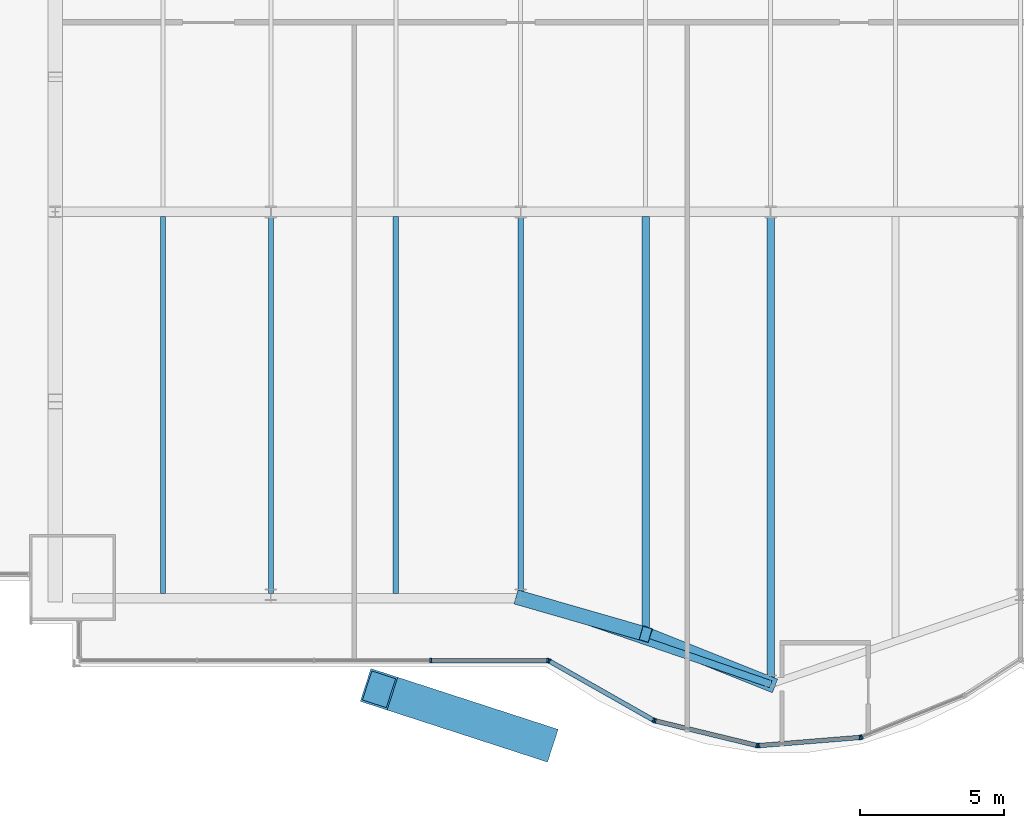
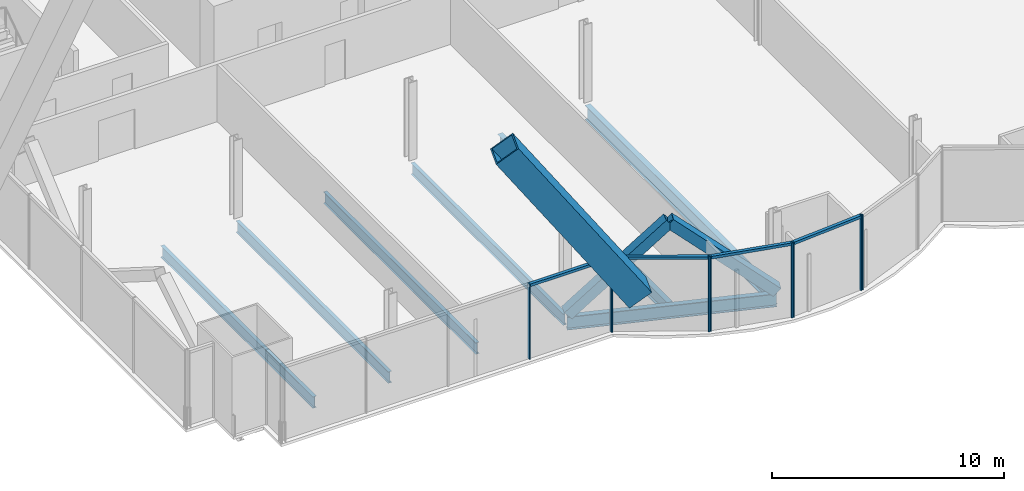
# One storey, part 6 of 23: 16 members, 7 beams, 2 elements without a shape of their own.
"""IFC4 building model written with IfcOpenShell, lengths in metres."""

from ifc_helpers import new_model, si_unit, direction, frame, origin, origin_2d, place, context, subcontext, project, spatial, rectangle, hollow_rectangle, i_section, extrude, material, material_profile, profile_set, type_object, element, aggregate, save


model = new_model("IFC4")

# Units and contexts
model_context = context("Model", 3, precision=1e-05, world=origin(), true_north=direction((0.0, 1.0)))
body_context = subcontext(model_context, "Body", "Model", "MODEL_VIEW")
ifc_project = project(units=[si_unit("LENGTHUNIT", "METRE"), si_unit("AREAUNIT", "SQUARE_METRE"), si_unit("VOLUMEUNIT", "CUBIC_METRE"), si_unit("PLANEANGLEUNIT", "RADIAN"), si_unit("MASSUNIT", "GRAM", prefix="KILO")], contexts=[model_context])

# Site, building, storey
site_placement = place(None, origin())
site = spatial("IfcSite", under=ifc_project, at=site_placement, CompositionType="ELEMENT")
building_placement = place(site_placement, origin())
building = spatial("IfcBuilding", under=site, at=building_placement, Name="Bicima Exchange Tower", CompositionType="ELEMENT")
storey_placement = place(building_placement, frame((0.0, 0.0, 110.39990234375)))
storey = spatial("IfcBuildingStorey", under=building, at=storey_placement, Name="L23", CompositionType="ELEMENT", Elevation=110.39990234375)

# Member
ifc_material_1 = material(Name="Steel ASTM A572 Gr 50", Category="steel")
ifc_material_profile_1 = material_profile(ifc_material_1, hollow_rectangle(XDim=1.199951171875, YDim=1.199951171875, WallThickness=0.070068359375, at=origin_2d()))
ifc_profile_set_1 = profile_set([ifc_material_profile_1], Name="Steel ASTM A572 Gr 50")
member_type_1 = type_object("IfcMemberType", Name="Exo mega brace BOX 1200x1200x70", PredefinedType="BRACE", material=ifc_profile_set_1)
member_1_placement = place(storey_placement, frame((-16.75, -40.435302734375, 3.85009765625), z_axis=(-0.544087292509, 0.176699301301, 0.820211177106), x_axis=(-0.308881999027, -0.951100368351, 0.0)))
element("IfcMember", 1, at=member_1_placement, inside=storey, type_object=member_type_1, Name="Exo mega brace front", PredefinedType="BRACE", context=body_context, shape_type="SweptSolid", body=[
    extrude(hollow_rectangle(XDim=1.199951171875, YDim=1.199951171875, WallThickness=0.070068359375, at=origin_2d()), origin(), (0.0, 0.0, 1.0), 10.26171875),
])

# Beams
ifc_material_2 = material(Name="Steel ASTM A992 Gr 50", Category="steel")
ifc_material_profile_2 = material_profile(ifc_material_2, i_section(OverallWidth=0.177978515625, OverallDepth=0.599365234375, WebThickness=0.010009765625, FlangeThickness=0.012939453125, at=origin_2d()))
ifc_profile_set_2 = profile_set([ifc_material_profile_2], Name="Steel ASTM A992 Gr 50")
beam_type_1 = type_object("IfcBeamType", Name="Floor beam W24x55", PredefinedType="JOIST", material=ifc_profile_set_2)
for number, where, z_axis, x_axis, name in (
    (2, (-29.85009765625, -22.16259765625, -0.44970703125), (0.0, -1.0, 0.0), (1.0, 0.0, 0.0), "Floor beam"),
    (3, (-26.10009765625, -22.16259765625, -0.44970703125), (0.0, -1.0, 0.0), (1.0, 0.0, 0.0), "Floor beam"),
    (4, (-21.75, -22.16259765625, -0.44970703125), (0.0, -1.0, 0.0), (1.0, 0.0, 0.0), "Floor beam"),
    (5, (-17.39990234375, -22.16259765625, -0.44970703125), (0.0, -1.0, 0.0), (1.0, 0.0, 0.0), "Floor beam"),
):
    element("IfcBeam", number, at=place(storey_placement, frame(where, z_axis=z_axis, x_axis=x_axis)), inside=storey, type_object=beam_type_1, Name=name, PredefinedType="JOIST", context=body_context, shape_type="SweptSolid", body=[
        extrude(i_section(OverallWidth=0.177978515625, OverallDepth=0.599365234375, WebThickness=0.010009765625, FlangeThickness=0.012939453125, at=origin_2d()), origin(), (0.0, 0.0, 1.0), 13.126708984375),
    ])
ifc_material_profile_3 = material_profile(ifc_material_2, i_section(OverallWidth=0.25390625, OverallDepth=0.67822265625, WebThickness=0.01171875, FlangeThickness=0.016357421875, at=origin_2d()))
ifc_profile_set_3 = profile_set([ifc_material_profile_3], Name="Steel ASTM A992 Gr 50")
beam_type_2 = type_object("IfcBeamType", Name="Floor beam W27x84", PredefinedType="JOIST", material=ifc_profile_set_3)
beam_1_placement = place(storey_placement, frame((-13.050048828125, -22.16259765625, -0.489013671875), z_axis=(0.0, -1.0, 0.0), x_axis=(1.0, 0.0, 0.0)))
element("IfcBeam", 6, at=beam_1_placement, inside=storey, type_object=beam_type_2, Name="Floor beam", PredefinedType="JOIST", context=body_context, shape_type="SweptSolid", body=[
    extrude(i_section(OverallWidth=0.25390625, OverallDepth=0.67822265625, WebThickness=0.01171875, FlangeThickness=0.016357421875, at=origin_2d()), origin(), (0.0, 0.0, 1.0), 14.6494140625),
])
ifc_material_profile_4 = material_profile(ifc_material_2, i_section(OverallWidth=0.2666015625, OverallDepth=0.75439453125, WebThickness=0.01318359375, FlangeThickness=0.01708984375, at=origin_2d()))
ifc_profile_set_4 = profile_set([ifc_material_profile_4], Name="Steel ASTM A992 Gr 50")
beam_type_3 = type_object("IfcBeamType", Name="Floor beam W30x99", PredefinedType="JOIST", material=ifc_profile_set_4)
beam_2_placement = place(storey_placement, frame((-8.699951171875, -22.16259765625, -0.527099609375), z_axis=(0.0, -1.0, 0.0), x_axis=(1.0, 0.0, 0.0)))
element("IfcBeam", 7, at=beam_2_placement, inside=storey, type_object=beam_type_3, Name="Floor beam", PredefinedType="JOIST", context=body_context, shape_type="SweptSolid", body=[
    extrude(i_section(OverallWidth=0.2666015625, OverallDepth=0.75439453125, WebThickness=0.01318359375, FlangeThickness=0.01708984375, at=origin_2d()), origin(), (0.0, 0.0, 1.0), 16.144775390625),
])
ifc_material_profile_5 = material_profile(ifc_material_2, i_section(OverallWidth=0.256591796875, OverallDepth=0.693359375, WebThickness=0.014404296875, FlangeThickness=0.023681640625, at=origin_2d()))
ifc_profile_set_5 = profile_set([ifc_material_profile_5], Name="Steel ASTM A992 Gr 50")
beam_type_4 = type_object("IfcBeamType", Name="Front girder W27x114", PredefinedType="BEAM", material=ifc_profile_set_5)
beam_3_placement = place(storey_placement, frame((-17.39990234375, -35.451904296875, -0.49658203125), z_axis=(0.945666456746, -0.325138359143, 0.0), x_axis=(0.325138359143, 0.945666456746, 0.0)))
element("IfcBeam", 8, at=beam_3_placement, inside=storey, type_object=beam_type_4, Name="Front girder", PredefinedType="BEAM", context=body_context, shape_type="SweptSolid", body=[
    extrude(i_section(OverallWidth=0.256591796875, OverallDepth=0.693359375, WebThickness=0.014404296875, FlangeThickness=0.023681640625, at=origin_2d()), origin(), (0.0, 0.0, 1.0), 9.19970703125),
])

# Curtain wall, members
ifc_material_3 = material(Name="Anodised bronze aluminium", Category="aluminium")
curtain_wall_type = type_object("IfcCurtainWallType", Name="Front glass wall", PredefinedType="NOTDEFINED", material=ifc_material_3)
curtain_wall_1_placement = place(storey_placement, origin())
curtain_wall_1 = element("IfcCurtainWall", 9, at=curtain_wall_1_placement, inside=storey, type_object=curtain_wall_type, Name="Front glass wall L23 run 5", PredefinedType="NOTDEFINED")
ifc_material_profile_6 = material_profile(ifc_material_3, rectangle(XDim=0.159912109375, YDim=0.06005859375, at=origin_2d()))
ifc_profile_set_6 = profile_set([ifc_material_profile_6], Name="Anodised bronze aluminium")
member_type_2 = type_object("IfcMemberType", Name="Front glass wall mullion 60 x 160", PredefinedType="MULLION", material=ifc_profile_set_6)
member_2_placement = place(storey_placement, frame((-20.531494140625, -37.6220703125, 0.0), z_axis=(0.0, 0.0, 1.0), x_axis=(0.0, 1.0, 0.0)))
member_2 = element("IfcMember", 10, at=member_2_placement, type_object=member_type_2, Name="Front glass wall mullion 4", PredefinedType="MULLION", context=body_context, shape_type="SweptSolid", body=[
    extrude(rectangle(XDim=0.159912109375, YDim=0.06005859375, at=origin_2d()), origin(), (0.0, 0.0, 1.0), 3.9501953125),
])
member_3_placement = place(storey_placement, frame((-16.462158203125, -37.6220703125, 0.0), z_axis=(0.0, 0.0, 1.0), x_axis=(0.0, 1.0, 0.0)))
member_3 = element("IfcMember", 11, at=member_3_placement, type_object=member_type_2, Name="Front glass wall mullion 5", PredefinedType="MULLION", context=body_context, shape_type="SweptSolid", body=[
    extrude(rectangle(XDim=0.159912109375, YDim=0.06005859375, at=origin_2d()), origin(), (0.0, 0.0, 1.0), 3.9501953125),
])

curtain_wall_2_placement = place(storey_placement, origin())
curtain_wall_2 = element("IfcCurtainWall", 12, at=curtain_wall_2_placement, inside=storey, type_object=curtain_wall_type, Name="Front glass wall L23 run 6", PredefinedType="NOTDEFINED")
member_4_placement = place(storey_placement, frame((-16.406005859375, -37.63671875, 0.0), z_axis=(0.0, 0.0, 1.0), x_axis=(0.493395449343, 0.869805110681, 0.0)))
member_4 = element("IfcMember", 13, at=member_4_placement, type_object=member_type_2, Name="Front glass wall mullion 1", PredefinedType="MULLION", context=body_context, shape_type="SweptSolid", body=[
    extrude(rectangle(XDim=0.159912109375, YDim=0.06005859375, at=origin_2d()), origin(), (0.0, 0.0, 1.0), 3.9501953125),
])
member_5_placement = place(storey_placement, frame((-12.7734375, -39.697509765625, 0.0), z_axis=(0.0, 0.0, 1.0), x_axis=(0.493395449343, 0.869805110681, 0.0)))
member_5 = element("IfcMember", 14, at=member_5_placement, type_object=member_type_2, Name="Front glass wall mullion 2", PredefinedType="MULLION", context=body_context, shape_type="SweptSolid", body=[
    extrude(rectangle(XDim=0.159912109375, YDim=0.06005859375, at=origin_2d()), origin(), (0.0, 0.0, 1.0), 3.9501953125),
])
member_6_placement = place(storey_placement, frame((-12.718017578125, -39.71923828125, 0.0), z_axis=(0.0, 0.0, 1.0), x_axis=(0.235681529503, 0.971830343553, 0.0)))
member_6 = element("IfcMember", 15, at=member_6_placement, type_object=member_type_2, Name="Front glass wall mullion 1", PredefinedType="MULLION", context=body_context, shape_type="SweptSolid", body=[
    extrude(rectangle(XDim=0.159912109375, YDim=0.06005859375, at=origin_2d()), origin(), (0.0, 0.0, 1.0), 3.9501953125),
])
member_7_placement = place(storey_placement, frame((-9.177490234375, -40.577880859375, 0.0), z_axis=(0.0, 0.0, 1.0), x_axis=(0.235681529503, 0.971830343553, 0.0)))
member_7 = element("IfcMember", 16, at=member_7_placement, type_object=member_type_2, Name="Front glass wall mullion 2", PredefinedType="MULLION", context=body_context, shape_type="SweptSolid", body=[
    extrude(rectangle(XDim=0.159912109375, YDim=0.06005859375, at=origin_2d()), origin(), (0.0, 0.0, 1.0), 3.9501953125),
])
member_8_placement = place(storey_placement, frame((-9.118408203125, -40.58251953125, 0.0), z_axis=(0.0, 0.0, 1.0), x_axis=(-0.080588612633, 0.99674744821, 0.0)))
member_8 = element("IfcMember", 17, at=member_8_placement, type_object=member_type_2, Name="Front glass wall mullion 1", PredefinedType="MULLION", context=body_context, shape_type="SweptSolid", body=[
    extrude(rectangle(XDim=0.159912109375, YDim=0.06005859375, at=origin_2d()), origin(), (0.0, 0.0, 1.0), 3.9501953125),
])
member_9_placement = place(storey_placement, frame((-5.583984375, -40.296875, 0.0), z_axis=(0.0, 0.0, 1.0), x_axis=(-0.080588612633, 0.99674744821, 0.0)))
member_9 = element("IfcMember", 18, at=member_9_placement, type_object=member_type_2, Name="Front glass wall mullion 2", PredefinedType="MULLION", context=body_context, shape_type="SweptSolid", body=[
    extrude(rectangle(XDim=0.159912109375, YDim=0.06005859375, at=origin_2d()), origin(), (0.0, 0.0, 1.0), 3.9501953125),
])
member_10_placement = place(storey_placement, frame((-5.526123046875, -40.283203125, 0.0), z_axis=(0.0, 0.0, 1.0), x_axis=(-0.374705304, 0.92714396679, 0.0)))
member_10 = element("IfcMember", 19, at=member_10_placement, type_object=member_type_2, Name="Front glass wall mullion 1", PredefinedType="MULLION", context=body_context, shape_type="SweptSolid", body=[
    extrude(rectangle(XDim=0.159912109375, YDim=0.06005859375, at=origin_2d()), origin(), (0.0, 0.0, 1.0), 3.9501953125),
])

# Member
ifc_material_profile_7 = material_profile(ifc_material_3, rectangle(XDim=0.159912109375, YDim=0.139892578125, at=origin_2d()))
ifc_profile_set_7 = profile_set([ifc_material_profile_7], Name="Anodised bronze aluminium")
member_type_3 = type_object("IfcMemberType", Name="Front glass wall transom 140 x 160", PredefinedType="USERDEFINED", material=ifc_profile_set_7)
member_11_placement = place(storey_placement, frame((-20.501708984375, -37.6220703125, 3.880126953125), z_axis=(1.0, 0.0, 0.0), x_axis=(0.0, 1.0, 0.0)))
member_11 = element("IfcMember", 20, at=member_11_placement, type_object=member_type_3, Name="Front glass wall transom 4.1", ObjectType="TRANSOM", PredefinedType="USERDEFINED", context=body_context, shape_type="SweptSolid", body=[
    extrude(rectangle(XDim=0.159912109375, YDim=0.139892578125, at=origin_2d()), origin(), (0.0, 0.0, 1.0), 4.009521484375),
])

aggregate(curtain_wall_1, [member_2, member_3, member_11])

member_12_placement = place(storey_placement, frame((-16.3798828125, -37.651611328125, 3.880126953125), z_axis=(0.869797371721, -0.49340909208, 0.0), x_axis=(0.49340909208, 0.869797371721, 0.0)))
member_12 = element("IfcMember", 21, at=member_12_placement, type_object=member_type_3, Name="Front glass wall transom 1.1", ObjectType="TRANSOM", PredefinedType="USERDEFINED", context=body_context, shape_type="SweptSolid", body=[
    extrude(rectangle(XDim=0.159912109375, YDim=0.139892578125, at=origin_2d()), origin(), (0.0, 0.0, 1.0), 4.1162109375),
])

member_13_placement = place(storey_placement, frame((-12.68896484375, -39.726318359375, 3.880126953125), z_axis=(0.971833557815, -0.235668275132, 0.0), x_axis=(0.235668275132, 0.971833557815, 0.0)))
member_13 = element("IfcMember", 22, at=member_13_placement, type_object=member_type_3, Name="Front glass wall transom 1.1", ObjectType="TRANSOM", PredefinedType="USERDEFINED", context=body_context, shape_type="SweptSolid", body=[
    extrude(rectangle(XDim=0.159912109375, YDim=0.139892578125, at=origin_2d()), origin(), (0.0, 0.0, 1.0), 3.583251953125),
])

member_14_placement = place(storey_placement, frame((-9.08837890625, -40.580078125, 3.880126953125), z_axis=(0.996751271357, 0.08054131268, 0.0), x_axis=(-0.08054131268, 0.996751271357, 0.0)))
member_14 = element("IfcMember", 23, at=member_14_placement, type_object=member_type_3, Name="Front glass wall transom 1.1", ObjectType="TRANSOM", PredefinedType="USERDEFINED", context=body_context, shape_type="SweptSolid", body=[
    extrude(rectangle(XDim=0.159912109375, YDim=0.139892578125, at=origin_2d()), origin(), (0.0, 0.0, 1.0), 3.48583984375),
])

aggregate(curtain_wall_2, [member_4, member_5, member_12, member_6, member_7, member_13, member_8, member_9, member_14, member_10])

# Members
ifc_material_profile_8 = material_profile(ifc_material_1, hollow_rectangle(XDim=0.508056640625, YDim=0.508056640625, WallThickness=0.0146484375, at=origin_2d()))
ifc_profile_set_8 = profile_set([ifc_material_profile_8], Name="Steel ASTM A572 Gr 50")
member_type_4 = type_object("IfcMemberType", Name="Mega brace HSS20x20x5/8", PredefinedType="BRACE", material=ifc_profile_set_8)
member_15_placement = place(storey_placement, frame((-17.39990234375, -35.451904296875, 0.0), z_axis=(0.712241363619, -0.204953778485, 0.671346548836), x_axis=(0.276537209588, 0.961003211084, 0.0)))
element("IfcMember", 24, at=member_15_placement, inside=storey, type_object=member_type_4, Name="Mega brace front", PredefinedType="BRACE", context=body_context, shape_type="SweptSolid", body=[
    extrude(hollow_rectangle(XDim=0.508056640625, YDim=0.508056640625, WallThickness=0.0146484375, at=origin_2d()), origin(), (0.0, 0.0, 1.0), 6.107177734375),
])
member_16_placement = place(storey_placement, frame((-8.699951171875, -38.443115234375, 0.0), z_axis=(-0.698726194273, 0.279404205533, 0.658570417926), x_axis=(-0.371291842786, -0.928516218211, 0.0)))
element("IfcMember", 25, at=member_16_placement, inside=storey, type_object=member_type_4, Name="Mega brace front", PredefinedType="BRACE", context=body_context, shape_type="SweptSolid", body=[
    extrude(hollow_rectangle(XDim=0.508056640625, YDim=0.508056640625, WallThickness=0.0146484375, at=origin_2d()), origin(), (0.0, 0.0, 1.0), 6.225830078125),
])

save(model, "model.ifc")
